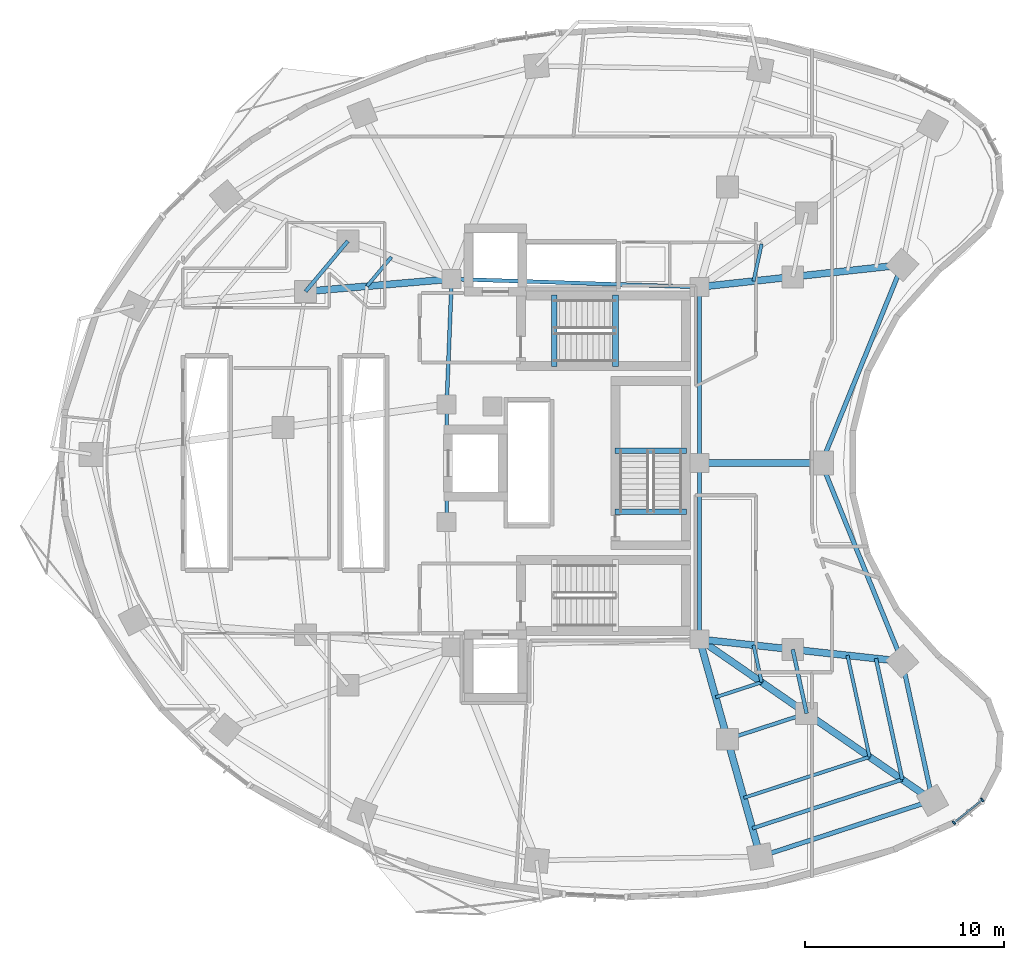
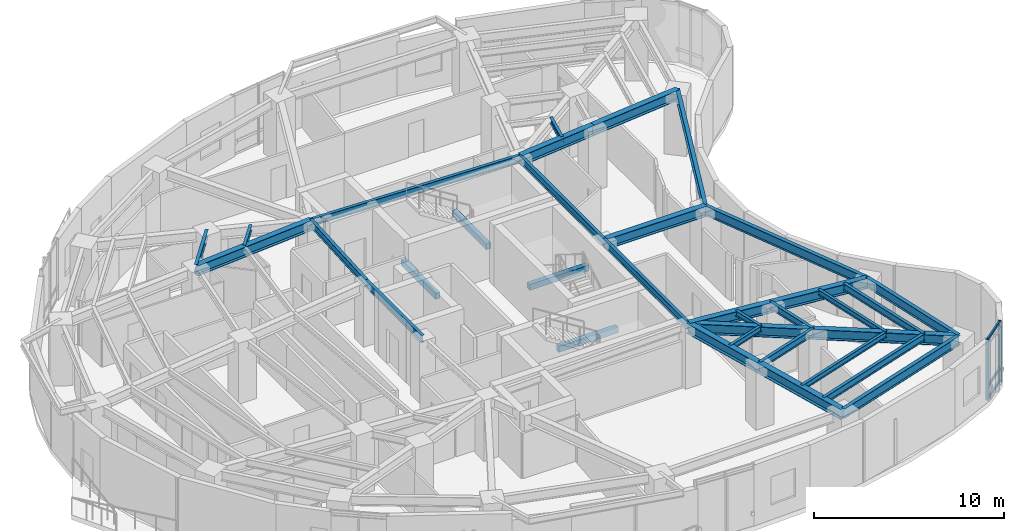
# One storey, part 3 of 13: 34 beams, 5 members, 1 element without a shape of its own.
"""IFC4 building model written with IfcOpenShell, lengths in metres."""

from ifc_helpers import new_model, si_unit, direction, frame, origin, origin_2d, place, context, subcontext, project, spatial, rectangle, i_section, extrude, material, layer, layer_set, material_profile, profile_set, type_object, element, aggregate, save


model = new_model("IFC4")

# Units and contexts
model_context = context("Model", 3, precision=1e-05, world=origin(), true_north=direction((0.0, 1.0)))
body_context = subcontext(model_context, "Body", "Model", "MODEL_VIEW")
ifc_project = project(units=[si_unit("LENGTHUNIT", "METRE"), si_unit("AREAUNIT", "SQUARE_METRE"), si_unit("VOLUMEUNIT", "CUBIC_METRE"), si_unit("PLANEANGLEUNIT", "RADIAN"), si_unit("MASSUNIT", "GRAM", prefix="KILO")], contexts=[model_context])

# Site, building, storey
site_placement = place(None, origin())
site = spatial("IfcSite", under=ifc_project, at=site_placement, CompositionType="ELEMENT")
building_placement = place(site_placement, origin())
building = spatial("IfcBuilding", under=site, at=building_placement, Name="Korentha Bioscience Tower", CompositionType="ELEMENT")
storey_placement = place(building_placement, frame((0.0, 0.0, 140.39990234375)))
storey = spatial("IfcBuildingStorey", under=building, at=storey_placement, Name="L32", CompositionType="ELEMENT", Elevation=140.39990234375)

# Beams
ifc_material_1 = material(Name="Concrete C50", Category="concrete")
ifc_material_profile_1 = material_profile(ifc_material_1, rectangle(XDim=0.280029296875, YDim=0.3798828125, at=origin_2d()), Name="Concrete C50")
ifc_profile_set_1 = profile_set([ifc_material_profile_1], Name="Concrete C50 (ST-HB380)")
beam_type_1 = type_object("IfcBeamType", Name="Concrete Stair Header Beam RC 280x380", PredefinedType="BEAM", material=ifc_profile_set_1)
for number, where, z_axis, x_axis, name in (
    (1, (30.25, 31.85009765625, -0.18994140625), (0.0, 1.0, 0.0), (-1.0, 0.0, 0.0), "L32 ST-1 Concrete Stair Header Beam"),
    (2, (33.330078125, 31.85009765625, 1.91015625), (0.0, 1.0, 0.0), (-1.0, 0.0, 0.0), "L32 ST-1 Half-Landing Header Beam 1"),
    (3, (36.89990234375, 24.550048828125, -0.18994140625), (-1.0, 0.0, 0.0), (0.0, -1.0, 0.0), "L32 ST-3 Concrete Stair Header Beam"),
    (4, (36.89990234375, 27.6298828125, 1.91015625), (-1.0, 0.0, 0.0), (0.0, -1.0, 0.0), "L32 ST-3 Half-Landing Header Beam 1"),
):
    element("IfcBeam", number, at=place(storey_placement, frame(where, z_axis=z_axis, x_axis=x_axis)), inside=storey, type_object=beam_type_1, Name=name, PredefinedType="BEAM", context=body_context, shape_type="SweptSolid", body=[
        extrude(rectangle(XDim=0.280029296875, YDim=0.3798828125, at=origin_2d()), origin(), (0.0, 0.0, 1.0), 3.599853515625),
    ])
ifc_material_2 = material(Name="Steel S355", Category="steel")
ifc_material_profile_2 = material_profile(ifc_material_2, i_section(OverallWidth=0.18994140625, OverallDepth=0.45703125, WebThickness=0.009033203125, FlangeThickness=0.014404296875, at=origin_2d()), Name="Steel S355")
ifc_profile_set_2 = profile_set([ifc_material_profile_2], Name="Steel S355 (MB-460)")
beam_type_2 = type_object("IfcBeamType", Name="Mid-Ring Tie Girder W460x74", PredefinedType="BEAM", material=ifc_profile_set_2)
beam_1_placement = place(storey_placement, frame((19.882568359375, 38.158935546875, 3.671630859375), z_axis=(-0.642121371708, -0.766602989817, 0.0), x_axis=(0.766602989817, -0.642121371708, 0.0)))
element("IfcBeam", 5, at=beam_1_placement, inside=storey, type_object=beam_type_2, Name="L32 Mid-Ring Tie Girder 05", PredefinedType="BEAM", context=body_context, shape_type="SweptSolid", body=[
    extrude(i_section(OverallWidth=0.18994140625, OverallDepth=0.45703125, WebThickness=0.009033203125, FlangeThickness=0.014404296875, at=origin_2d()), origin(), (0.0, 0.0, 1.0), 3.306640625),
])
beam_2_placement = place(storey_placement, frame((38.954833984375, 13.129150390625, 3.671630859375), z_axis=(0.95087582253, 0.309572560361, 0.0), x_axis=(-0.309572560361, 0.95087582253, 0.0)))
element("IfcBeam", 6, at=beam_2_placement, inside=storey, type_object=beam_type_2, Name="L32 Mid-Ring Tie Girder 12", PredefinedType="BEAM", context=body_context, shape_type="SweptSolid", body=[
    extrude(i_section(OverallWidth=0.18994140625, OverallDepth=0.45703125, WebThickness=0.009033203125, FlangeThickness=0.014404296875, at=origin_2d()), origin(), (0.0, 0.0, 1.0), 4.186767578125),
])
beam_3_placement = place(storey_placement, frame((42.93603515625, 14.42529296875, 3.671630859375), z_axis=(-0.212928773299, 0.977067724112, 0.0), x_axis=(-0.977067724112, -0.212928773299, 0.0)))
element("IfcBeam", 7, at=beam_3_placement, inside=storey, type_object=beam_type_2, Name="L32 Mid-Ring Tie Girder 13", PredefinedType="BEAM", context=body_context, shape_type="SweptSolid", body=[
    extrude(i_section(OverallWidth=0.18994140625, OverallDepth=0.45703125, WebThickness=0.009033203125, FlangeThickness=0.014404296875, at=origin_2d()), origin(), (0.0, 0.0, 1.0), 3.28955078125),
])
beam_4_placement = place(storey_placement, frame((37.550048828125, 35.85009765625, 3.671630859375), z_axis=(-0.999484526071, 0.032104238723, 0.0), x_axis=(-0.032104238723, -0.999484526071, 0.0)))
element("IfcBeam", 8, at=beam_4_placement, inside=storey, type_object=beam_type_2, Name="L32 Core Ring Tie Girder 01", PredefinedType="BEAM", context=body_context, shape_type="SweptSolid", body=[
    extrude(i_section(OverallWidth=0.18994140625, OverallDepth=0.45703125, WebThickness=0.009033203125, FlangeThickness=0.014404296875, at=origin_2d()), origin(), (0.0, 0.0, 1.0), 12.456298828125),
])
beam_5_placement = place(storey_placement, frame((25.10009765625, 36.25, 3.671630859375), z_axis=(-0.039651025576, -0.999213588864, 0.0), x_axis=(0.999213588864, -0.039651025576, 0.0)))
element("IfcBeam", 9, at=beam_5_placement, inside=storey, type_object=beam_type_2, Name="L32 Core Ring Tie Girder 02", PredefinedType="BEAM", context=body_context, shape_type="SweptSolid", body=[
    extrude(i_section(OverallWidth=0.18994140625, OverallDepth=0.45703125, WebThickness=0.009033203125, FlangeThickness=0.014404296875, at=origin_2d()), origin(), (0.0, 0.0, 1.0), 6.304931640625),
])
beam_6_placement = place(storey_placement, frame((24.85009765625, 29.949951171875, 3.671630859375), z_axis=(0.0, -1.0, 0.0), x_axis=(1.0, 0.0, 0.0)))
element("IfcBeam", 10, at=beam_6_placement, inside=storey, type_object=beam_type_2, Name="L32 Core Ring Tie Girder 03", PredefinedType="BEAM", context=body_context, shape_type="SweptSolid", body=[
    extrude(i_section(OverallWidth=0.18994140625, OverallDepth=0.45703125, WebThickness=0.009033203125, FlangeThickness=0.014404296875, at=origin_2d()), origin(), (0.0, 0.0, 1.0), 5.89990234375),
])
for number, where, z_axis, x_axis, name in (
    (11, (37.550048828125, 18.14990234375, 3.671630859375), (0.0, 1.0, 0.0), (-1.0, 0.0, 0.0), "L32 Core Ring Tie Girder 06"),
    (12, (37.550048828125, 27.0, 3.671630859375), (0.0, 1.0, 0.0), (-1.0, 0.0, 0.0), "L32 Core Ring Tie Girder 07"),
):
    element("IfcBeam", number, at=place(storey_placement, frame(where, z_axis=z_axis, x_axis=x_axis)), inside=storey, type_object=beam_type_2, Name=name, PredefinedType="BEAM", context=body_context, shape_type="SweptSolid", body=[
        extrude(i_section(OverallWidth=0.18994140625, OverallDepth=0.45703125, WebThickness=0.009033203125, FlangeThickness=0.014404296875, at=origin_2d()), origin(), (0.0, 0.0, 1.0), 8.85009765625),
    ])

# Curtain wall, members
ifc_material_3 = material(Name="Thermally Broken Aluminium Frame", Category="aluminium")
ifc_layer = layer(ifc_material_3, 0.219970703125, Name="Thermally Broken Aluminium Frame")
ifc_layer_set = layer_set([ifc_layer], Name="Thermally Broken Aluminium Frame (CW-T2)")
curtain_wall_type = type_object("IfcCurtainWallType", Name="Solar-Screened Lab Unitised Curtain Wall CW-T2", PredefinedType="USERDEFINED", material=ifc_layer_set)
curtain_wall_placement = place(storey_placement, origin())
curtain_wall = element("IfcCurtainWall", 13, at=curtain_wall_placement, inside=storey, type_object=curtain_wall_type, Name="L32 Curtain Wall 37", ObjectType="UNITISED", PredefinedType="USERDEFINED")
ifc_material_4 = material(Name="Anodised Aluminium 6063-T6", Category="aluminium")
ifc_material_profile_3 = material_profile(ifc_material_4, rectangle(XDim=0.090087890625, YDim=0.199951171875, at=origin_2d()), Name="Anodised Aluminium 6063-T6")
ifc_profile_set_3 = profile_set([ifc_material_profile_3], Name="Anodised Aluminium 6063-T6 (CW-MUL)")
member_type_1 = type_object("IfcMemberType", Name="Mullion RECT 90x200", PredefinedType="MULLION", material=ifc_profile_set_3)
member_1_placement = place(storey_placement, frame((50.337158203125, 8.931884765625, 0.0), z_axis=(0.0, 0.0, 1.0), x_axis=(0.777315301098, 0.629111216463, 0.0)))
member_1 = element("IfcMember", 14, at=member_1_placement, type_object=member_type_1, Name="CW-L32-37 Mullion 1", PredefinedType="MULLION", context=body_context, shape_type="SweptSolid", body=[
    extrude(rectangle(XDim=0.090087890625, YDim=0.199951171875, at=origin_2d()), origin(), (0.0, 0.0, 1.0), 3.900146484375),
])
member_2_placement = place(storey_placement, frame((51.7578125, 10.08154296875, 0.0), z_axis=(0.0, 0.0, 1.0), x_axis=(0.777315301098, 0.629111216463, 0.0)))
member_2 = element("IfcMember", 15, at=member_2_placement, type_object=member_type_1, Name="CW-L32-37 Mullion 2", PredefinedType="MULLION", context=body_context, shape_type="SweptSolid", body=[
    extrude(rectangle(XDim=0.090087890625, YDim=0.199951171875, at=origin_2d()), origin(), (0.0, 0.0, 1.0), 3.900146484375),
])

# Beams
ifc_material_profile_4 = material_profile(ifc_material_2, i_section(OverallWidth=0.22802734375, OverallDepth=0.60791015625, WebThickness=0.01123046875, FlangeThickness=0.017333984375, at=origin_2d()), Name="Steel S355")
ifc_profile_set_4 = profile_set([ifc_material_profile_4], Name="Steel S355 (SB-610)")
beam_type_3 = type_object("IfcBeamType", Name="Perimeter Ring Spandrel Girder W610x113", PredefinedType="SPANDREL", material=ifc_profile_set_4)
beam_7_placement = place(storey_placement, frame((40.604248046875, 7.235107421875, 3.59619140625), z_axis=(0.950867758759, 0.309597327755, 0.0), x_axis=(-0.309597327755, 0.950867758759, 0.0)))
element("IfcBeam", 16, at=beam_7_placement, inside=storey, type_object=beam_type_3, Name="L32 Perimeter Spandrel Girder 12", PredefinedType="SPANDREL", context=body_context, shape_type="SweptSolid", body=[
    extrude(i_section(OverallWidth=0.22802734375, OverallDepth=0.60791015625, WebThickness=0.01123046875, FlangeThickness=0.017333984375, at=origin_2d()), origin(), (0.0, 0.0, 1.0), 9.101806640625),
])
beam_8_placement = place(storey_placement, frame((49.2587890625, 10.052978515625, 3.59619140625), z_axis=(-0.212927102256, 0.977068088275, 0.0), x_axis=(-0.977068088275, -0.212927102256, 0.0)))
element("IfcBeam", 17, at=beam_8_placement, inside=storey, type_object=beam_type_3, Name="L32 Perimeter Spandrel Girder 13", PredefinedType="SPANDREL", context=body_context, shape_type="SweptSolid", body=[
    extrude(i_section(OverallWidth=0.22802734375, OverallDepth=0.60791015625, WebThickness=0.01123046875, FlangeThickness=0.017333984375, at=origin_2d()), origin(), (0.0, 0.0, 1.0), 7.1513671875),
])
for number, where, z_axis, x_axis, name in (
    (18, (47.736083984375, 17.040283203125, 3.59619140625), (-0.37709856037, 0.926173134876, 0.0), (-0.926173134876, -0.37709856037, 0.0), "L32 Perimeter Spandrel Girder 14"),
    (19, (43.680908203125, 27.0, 3.59619140625), (0.37709856037, 0.926173134876, 0.0), (-0.926173134876, 0.37709856037, 0.0), "L32 Perimeter Spandrel Girder 15"),
):
    element("IfcBeam", number, at=place(storey_placement, frame(where, z_axis=z_axis, x_axis=x_axis)), inside=storey, type_object=beam_type_3, Name=name, PredefinedType="SPANDREL", context=body_context, shape_type="SweptSolid", body=[
        extrude(i_section(OverallWidth=0.22802734375, OverallDepth=0.60791015625, WebThickness=0.01123046875, FlangeThickness=0.017333984375, at=origin_2d()), origin(), (0.0, 0.0, 1.0), 10.753662109375),
    ])
ifc_material_profile_5 = material_profile(ifc_material_2, i_section(OverallWidth=0.18994140625, OverallDepth=0.45703125, WebThickness=0.009033203125, FlangeThickness=0.014404296875, at=origin_2d()), Name="Steel S355")
ifc_profile_set_5 = profile_set([ifc_material_profile_5], Name="Steel S355 (RB-460)")
beam_type_4 = type_object("IfcBeamType", Name="Radial Laboratory Beam W460x74", PredefinedType="BEAM", material=ifc_profile_set_5)
beam_9_placement = place(storey_placement, frame((40.20849609375, 8.64990234375, 3.671630859375), z_axis=(0.950866789802, 0.3096003037, 0.0), x_axis=(-0.3096003037, 0.950866789802, 0.0)))
element("IfcBeam", 20, at=beam_9_placement, inside=storey, type_object=beam_type_4, Name="L32 Secondary Floor Beam JSTO-12", PredefinedType="BEAM", context=body_context, shape_type="SweptSolid", body=[
    extrude(i_section(OverallWidth=0.18994140625, OverallDepth=0.45703125, WebThickness=0.009033203125, FlangeThickness=0.014404296875, at=origin_2d()), origin(), (0.0, 0.0, 1.0), 7.921875),
])
beam_10_placement = place(storey_placement, frame((47.7412109375, 11.1025390625, 3.671630859375), z_axis=(-0.21290837934, 0.977072168269, 0.0), x_axis=(-0.977072168269, -0.21290837934, 0.0)))
element("IfcBeam", 21, at=beam_10_placement, inside=storey, type_object=beam_type_4, Name="L32 Secondary Floor Beam JSTO-13", PredefinedType="BEAM", context=body_context, shape_type="SweptSolid", body=[
    extrude(i_section(OverallWidth=0.18994140625, OverallDepth=0.45703125, WebThickness=0.009033203125, FlangeThickness=0.014404296875, at=origin_2d()), origin(), (0.0, 0.0, 1.0), 6.224365234375),
])
ifc_material_profile_6 = material_profile(ifc_material_2, i_section(OverallWidth=0.35009765625, OverallDepth=0.64990234375, WebThickness=0.01611328125, FlangeThickness=0.02490234375, at=origin_2d()), Name="Steel S355")
ifc_profile_set_6 = profile_set([ifc_material_profile_6], Name="Steel S355 (RB-650)")
beam_type_5 = type_object("IfcBeamType", Name="Radial Laboratory Girder CVS 650x208", PredefinedType="BEAM", material=ifc_profile_set_6)
beam_11_placement = place(storey_placement, frame((25.10009765625, 36.25, 3.5751953125), z_axis=(-0.996383934197, -0.084965026183, 0.0), x_axis=(0.084965026183, -0.996383934197, 0.0)))
element("IfcBeam", 22, at=beam_11_placement, inside=storey, type_object=beam_type_5, Name="L32 Inner Radial Girder 06", PredefinedType="BEAM", context=body_context, shape_type="SweptSolid", body=[
    extrude(i_section(OverallWidth=0.35009765625, OverallDepth=0.64990234375, WebThickness=0.01611328125, FlangeThickness=0.02490234375, at=origin_2d()), origin(), (0.0, 0.0, 1.0), 7.367431640625),
])
beam_12_placement = place(storey_placement, frame((37.550048828125, 18.14990234375, 3.5751953125), z_axis=(0.269447542125, -0.96301506844, 0.0), x_axis=(0.96301506844, 0.269447542125, 0.0)))
element("IfcBeam", 23, at=beam_12_placement, inside=storey, type_object=beam_type_5, Name="L32 Inner Radial Girder 12", PredefinedType="BEAM", context=body_context, shape_type="SweptSolid", body=[
    extrude(i_section(OverallWidth=0.35009765625, OverallDepth=0.64990234375, WebThickness=0.01611328125, FlangeThickness=0.02490234375, at=origin_2d()), origin(), (0.0, 0.0, 1.0), 5.213623046875),
])
beam_13_placement = place(storey_placement, frame((38.954833984375, 13.129150390625, 3.5751953125), z_axis=(0.269490843458, -0.963002951861, 0.0), x_axis=(0.963002951861, 0.269490843458, 0.0)))
element("IfcBeam", 24, at=beam_13_placement, inside=storey, type_object=beam_type_5, Name="L32 Outer Radial Girder 12", PredefinedType="BEAM", context=body_context, shape_type="SweptSolid", body=[
    extrude(i_section(OverallWidth=0.35009765625, OverallDepth=0.64990234375, WebThickness=0.01611328125, FlangeThickness=0.02490234375, at=origin_2d()), origin(), (0.0, 0.0, 1.0), 6.120361328125),
])
beam_14_placement = place(storey_placement, frame((37.550048828125, 18.14990234375, 3.5751953125), z_axis=(0.822488699387, -0.568781451333, 0.0), x_axis=(0.568781451333, 0.822488699387, 0.0)))
element("IfcBeam", 25, at=beam_14_placement, inside=storey, type_object=beam_type_5, Name="L32 Inner Radial Girder 13", PredefinedType="BEAM", context=body_context, shape_type="SweptSolid", body=[
    extrude(i_section(OverallWidth=0.35009765625, OverallDepth=0.64990234375, WebThickness=0.01611328125, FlangeThickness=0.02490234375, at=origin_2d()), origin(), (0.0, 0.0, 1.0), 6.54833984375),
])
beam_15_placement = place(storey_placement, frame((42.93603515625, 14.42529296875, 3.5751953125), z_axis=(0.822495056204, -0.568772258922, 0.0), x_axis=(0.568772258922, 0.822495056204, 0.0)))
element("IfcBeam", 26, at=beam_15_placement, inside=storey, type_object=beam_type_5, Name="L32 Outer Radial Girder 13", PredefinedType="BEAM", context=body_context, shape_type="SweptSolid", body=[
    extrude(i_section(OverallWidth=0.35009765625, OverallDepth=0.64990234375, WebThickness=0.01611328125, FlangeThickness=0.02490234375, at=origin_2d()), origin(), (0.0, 0.0, 1.0), 7.687255859375),
])
beam_16_placement = place(storey_placement, frame((37.550048828125, 18.14990234375, 3.5751953125), z_axis=(0.994117092476, -0.108310694058, 0.0), x_axis=(0.108310694058, 0.994117092476, 0.0)))
element("IfcBeam", 27, at=beam_16_placement, inside=storey, type_object=beam_type_5, Name="L32 Inner Radial Girder 14", PredefinedType="BEAM", context=body_context, shape_type="SweptSolid", body=[
    extrude(i_section(OverallWidth=0.35009765625, OverallDepth=0.64990234375, WebThickness=0.01611328125, FlangeThickness=0.02490234375, at=origin_2d()), origin(), (0.0, 0.0, 1.0), 4.71337890625),
])
beam_17_placement = place(storey_placement, frame((42.235595703125, 17.639404296875, 3.5751953125), z_axis=(0.994120325557, -0.108281015487, 0.0), x_axis=(0.108281015487, 0.994120325557, 0.0)))
element("IfcBeam", 28, at=beam_17_placement, inside=storey, type_object=beam_type_5, Name="L32 Outer Radial Girder 14", PredefinedType="BEAM", context=body_context, shape_type="SweptSolid", body=[
    extrude(i_section(OverallWidth=0.35009765625, OverallDepth=0.64990234375, WebThickness=0.01611328125, FlangeThickness=0.02490234375, at=origin_2d()), origin(), (0.0, 0.0, 1.0), 5.532958984375),
])
beam_18_placement = place(storey_placement, frame((37.550048828125, 27.0, 3.5751953125), z_axis=(1.0, 0.0, 0.0), x_axis=(0.0, 1.0, 0.0)))
element("IfcBeam", 29, at=beam_18_placement, inside=storey, type_object=beam_type_5, Name="L32 Radial Girder 15", PredefinedType="BEAM", context=body_context, shape_type="SweptSolid", body=[
    extrude(i_section(OverallWidth=0.35009765625, OverallDepth=0.64990234375, WebThickness=0.01611328125, FlangeThickness=0.02490234375, at=origin_2d()), origin(), (0.0, 0.0, 1.0), 6.130859375),
])
beam_19_placement = place(storey_placement, frame((37.550048828125, 35.85009765625, 3.5751953125), z_axis=(0.994117092476, 0.108310694058, 0.0), x_axis=(-0.108310694058, 0.994117092476, 0.0)))
element("IfcBeam", 30, at=beam_19_placement, inside=storey, type_object=beam_type_5, Name="L32 Inner Radial Girder 16", PredefinedType="BEAM", context=body_context, shape_type="SweptSolid", body=[
    extrude(i_section(OverallWidth=0.35009765625, OverallDepth=0.64990234375, WebThickness=0.01611328125, FlangeThickness=0.02490234375, at=origin_2d()), origin(), (0.0, 0.0, 1.0), 4.71337890625),
])
beam_20_placement = place(storey_placement, frame((42.235595703125, 36.360595703125, 3.5751953125), z_axis=(0.994120325557, 0.108281015487, 0.0), x_axis=(-0.108281015487, 0.994120325557, 0.0)))
element("IfcBeam", 31, at=beam_20_placement, inside=storey, type_object=beam_type_5, Name="L32 Outer Radial Girder 16", PredefinedType="BEAM", context=body_context, shape_type="SweptSolid", body=[
    extrude(i_section(OverallWidth=0.35009765625, OverallDepth=0.64990234375, WebThickness=0.01611328125, FlangeThickness=0.02490234375, at=origin_2d()), origin(), (0.0, 0.0, 1.0), 5.532958984375),
])
ifc_material_profile_7 = material_profile(ifc_material_2, i_section(OverallWidth=0.1708984375, OverallDepth=0.35498046875, WebThickness=0.007080078125, FlangeThickness=0.01171875, at=origin_2d()), Name="Steel S355")
ifc_profile_set_7 = profile_set([ifc_material_profile_7], Name="Steel S355 (JB-360)")
beam_type_6 = type_object("IfcBeamType", Name="Secondary Laboratory Joist W360x51", PredefinedType="JOIST", material=ifc_profile_set_7)
beam_21_placement = place(storey_placement, frame((22.073974609375, 37.357177734375, 3.72265625), z_axis=(-0.64218549873, -0.766549271229, 0.0), x_axis=(0.766549271229, -0.64218549873, 0.0)))
element("IfcBeam", 32, at=beam_21_placement, inside=storey, type_object=beam_type_6, Name="L32 Inner Bay Joist 05", PredefinedType="JOIST", context=body_context, shape_type="SweptSolid", body=[
    extrude(i_section(OverallWidth=0.1708984375, OverallDepth=0.35498046875, WebThickness=0.007080078125, FlangeThickness=0.01171875, at=origin_2d()), origin(), (0.0, 0.0, 1.0), 1.91796875),
])
beam_22_placement = place(storey_placement, frame((39.779541015625, 10.18212890625, 3.72265625), z_axis=(0.950864890997, 0.309606135387, 0.0), x_axis=(-0.309606135387, 0.950864890997, 0.0)))
element("IfcBeam", 33, at=beam_22_placement, inside=storey, type_object=beam_type_6, Name="L32 Secondary Floor Beam JST-12", PredefinedType="JOIST", context=body_context, shape_type="SweptSolid", body=[
    extrude(i_section(OverallWidth=0.1708984375, OverallDepth=0.35498046875, WebThickness=0.007080078125, FlangeThickness=0.01171875, at=origin_2d()), origin(), (0.0, 0.0, 1.0), 6.644287109375),
])
beam_23_placement = place(storey_placement, frame((38.36474609375, 15.23779296875, 3.72265625), z_axis=(0.950852158547, 0.30964523666, 0.0), x_axis=(-0.30964523666, 0.950852158547, 0.0)))
element("IfcBeam", 34, at=beam_23_placement, inside=storey, type_object=beam_type_6, Name="L32 Inner Bay Joist 12", PredefinedType="JOIST", context=body_context, shape_type="SweptSolid", body=[
    extrude(i_section(OverallWidth=0.1708984375, OverallDepth=0.35498046875, WebThickness=0.007080078125, FlangeThickness=0.01171875, at=origin_2d()), origin(), (0.0, 0.0, 1.0), 2.428466796875),
])
beam_24_placement = place(storey_placement, frame((46.097412109375, 12.2392578125, 3.72265625), z_axis=(-0.212932493609, 0.977066913351, 0.0), x_axis=(-0.977066913351, -0.212932493609, 0.0)))
element("IfcBeam", 35, at=beam_24_placement, inside=storey, type_object=beam_type_6, Name="L32 Secondary Floor Beam JST-13", PredefinedType="JOIST", context=body_context, shape_type="SweptSolid", body=[
    extrude(i_section(OverallWidth=0.1708984375, OverallDepth=0.35498046875, WebThickness=0.007080078125, FlangeThickness=0.01171875, at=origin_2d()), origin(), (0.0, 0.0, 1.0), 5.22021484375),
])
for number, where, z_axis, x_axis, name in (
    (36, (40.673828125, 15.98974609375, 3.72265625), (-0.212918344001, 0.977069996872, 0.0), (-0.977069996872, -0.212918344001, 0.0), "L32 Inner Bay Joist 13"),
    (37, (40.267578125, 36.14599609375, 3.72265625), (0.212918344001, 0.977069996872, 0.0), (-0.977069996872, 0.212918344001, 0.0), "L32 Inner Bay Joist 16"),
):
    element("IfcBeam", number, at=place(storey_placement, frame(where, z_axis=z_axis, x_axis=x_axis)), inside=storey, type_object=beam_type_6, Name=name, PredefinedType="JOIST", context=body_context, shape_type="SweptSolid", body=[
        extrude(i_section(OverallWidth=0.1708984375, OverallDepth=0.35498046875, WebThickness=0.007080078125, FlangeThickness=0.01171875, at=origin_2d()), origin(), (0.0, 0.0, 1.0), 1.907958984375),
    ])

# Member
ifc_material_profile_8 = material_profile(ifc_material_4, rectangle(XDim=0.090087890625, YDim=0.159912109375, at=origin_2d()), Name="Anodised Aluminium 6063-T6")
ifc_profile_set_8 = profile_set([ifc_material_profile_8], Name="Anodised Aluminium 6063-T6 (CW-TRN)")
member_type_2 = type_object("IfcMemberType", Name="Transom RECT 90x160", PredefinedType="USERDEFINED", material=ifc_profile_set_8)
member_3_placement = place(storey_placement, frame((50.3720703125, 8.960205078125, 0.045166015625), z_axis=(0.777333214738, 0.629089082137, 0.0), x_axis=(-0.629089082137, 0.777333214738, 0.0)))
member_3 = element("IfcMember", 38, at=member_3_placement, type_object=member_type_2, Name="CW-L32-37 Bay 1 Transom 1", ObjectType="TRANSOM", PredefinedType="USERDEFINED", context=body_context, shape_type="SweptSolid", body=[
    extrude(rectangle(XDim=0.090087890625, YDim=0.159912109375, at=origin_2d()), origin(), (0.0, 0.0, 1.0), 1.737548828125),
])

member_4_placement = place(storey_placement, frame((50.3720703125, 8.960205078125, 0.85009765625), z_axis=(0.777333214738, 0.629089082137, 0.0), x_axis=(-0.629089082137, 0.777333214738, 0.0)))
member_4 = element("IfcMember", 39, at=member_4_placement, type_object=member_type_2, Name="CW-L32-37 Bay 1 Transom 2", ObjectType="TRANSOM", PredefinedType="USERDEFINED", context=body_context, shape_type="SweptSolid", body=[
    extrude(rectangle(XDim=0.090087890625, YDim=0.159912109375, at=origin_2d()), origin(), (0.0, 0.0, 1.0), 1.737548828125),
])

member_5_placement = place(storey_placement, frame((50.3720703125, 8.960205078125, 3.85498046875), z_axis=(0.777333214738, 0.629089082137, 0.0), x_axis=(-0.629089082137, 0.777333214738, 0.0)))
member_5 = element("IfcMember", 40, at=member_5_placement, type_object=member_type_2, Name="CW-L32-37 Bay 1 Transom 3", ObjectType="TRANSOM", PredefinedType="USERDEFINED", context=body_context, shape_type="SweptSolid", body=[
    extrude(rectangle(XDim=0.090087890625, YDim=0.159912109375, at=origin_2d()), origin(), (0.0, 0.0, 1.0), 1.737548828125),
])

aggregate(curtain_wall, [member_1, member_2, member_3, member_4, member_5])

save(model, "model.ifc")
